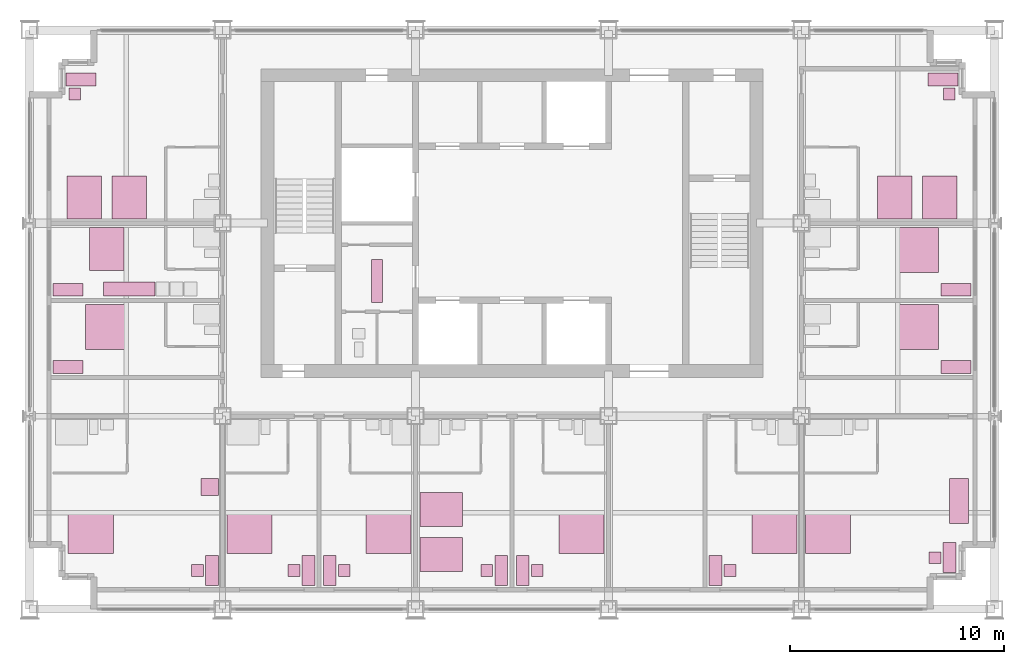
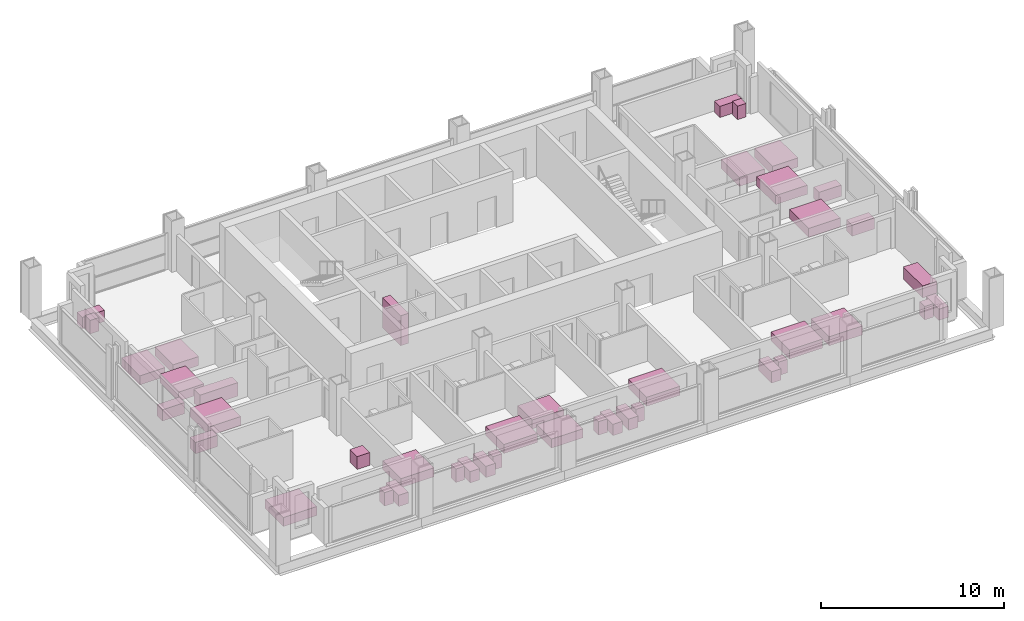
# One storey, part 14 of 14: 42 furniture elements.
"""IFC4 building model written with IfcOpenShell, lengths in metres."""

from ifc_helpers import new_model, si_unit, direction, frame, origin, origin_2d, place, context, subcontext, project, spatial, rectangle, extrude, element, save


model = new_model("IFC4")

# Units and contexts
model_context = context("Model", 3, precision=1e-05, world=origin(), true_north=direction((0.0, 1.0)))
body_context = subcontext(model_context, "Body", "Model", "MODEL_VIEW")
ifc_project = project(units=[si_unit("LENGTHUNIT", "METRE"), si_unit("AREAUNIT", "SQUARE_METRE"), si_unit("VOLUMEUNIT", "CUBIC_METRE"), si_unit("PLANEANGLEUNIT", "RADIAN"), si_unit("MASSUNIT", "GRAM", prefix="KILO")], contexts=[model_context])

# Site, building, storey
site_placement = place(None, origin())
site = spatial("IfcSite", under=ifc_project, at=site_placement, CompositionType="ELEMENT")
building_placement = place(site_placement, origin())
building = spatial("IfcBuilding", under=site, at=building_placement, Name="Loomwork Tower", CompositionType="ELEMENT")
storey_placement = place(building_placement, frame((0.0, 0.0, 167.199951171875)))
storey = spatial("IfcBuildingStorey", under=building, at=storey_placement, Name="L45", CompositionType="ELEMENT", Elevation=167.199951171875)

# Furniture
furniture_1_placement = place(storey_placement, frame((2.85009765625, 3.60009765625, 0.0), z_axis=(0.0, 0.0, 1.0), x_axis=(1.0, 0.0, 0.0)))
element("IfcFurniture", 1, at=furniture_1_placement, inside=storey, Name="King bed L45", PredefinedType="BED", context=body_context, shape_type="SweptSolid", body=[
    extrude(rectangle(XDim=2.10009765625, YDim=2.0, at=origin_2d()), origin(), (0.0, 0.0, 1.0), 0.60009765625),
])
furniture_2_placement = place(storey_placement, frame((8.5, 1.800048828125, 0.0), z_axis=(0.0, 0.0, 1.0), x_axis=(1.0, 0.0, 0.0)))
element("IfcFurniture", 2, at=furniture_2_placement, inside=storey, Name="Writing desk L45", PredefinedType="DESK", context=body_context, shape_type="SweptSolid", body=[
    extrude(rectangle(XDim=0.60009765625, YDim=1.39990234375, at=origin_2d()), origin(), (0.0, 0.0, 1.0), 0.75),
])
furniture_3_placement = place(storey_placement, frame((7.824951171875, 1.800048828125, 0.0), z_axis=(0.0, 0.0, 1.0), x_axis=(1.0, 0.0, 0.0)))
element("IfcFurniture", 3, at=furniture_3_placement, inside=storey, Name="Desk chair L45", PredefinedType="CHAIR", context=body_context, shape_type="SweptSolid", body=[
    extrude(rectangle(XDim=0.550048828125, YDim=0.550048828125, at=origin_2d()), origin(), (0.0, 0.0, 1.0), 0.89990234375),
])
furniture_4_placement = place(storey_placement, frame((8.39990234375, 5.699951171875, 0.0), z_axis=(0.0, 0.0, 1.0), x_axis=(1.0, 0.0, 0.0)))
element("IfcFurniture", 4, at=furniture_4_placement, inside=storey, Name="Lounge armchair L45", PredefinedType="CHAIR", context=body_context, shape_type="SweptSolid", body=[
    extrude(rectangle(XDim=0.800048828125, YDim=0.800048828125, at=origin_2d()), origin(), (0.0, 0.0, 1.0), 0.85009765625),
])
furniture_5_placement = place(storey_placement, frame((10.25, 3.60009765625, 0.0), z_axis=(0.0, 0.0, 1.0), x_axis=(1.0, 0.0, 0.0)))
element("IfcFurniture", 5, at=furniture_5_placement, inside=storey, Name="King bed L45", PredefinedType="BED", context=body_context, shape_type="SweptSolid", body=[
    extrude(rectangle(XDim=2.10009765625, YDim=2.0, at=origin_2d()), origin(), (0.0, 0.0, 1.0), 0.60009765625),
])
furniture_6_placement = place(storey_placement, frame((13.0, 1.800048828125, 0.0), z_axis=(0.0, 0.0, 1.0), x_axis=(1.0, 0.0, 0.0)))
element("IfcFurniture", 6, at=furniture_6_placement, inside=storey, Name="Writing desk L45", PredefinedType="DESK", context=body_context, shape_type="SweptSolid", body=[
    extrude(rectangle(XDim=0.60009765625, YDim=1.39990234375, at=origin_2d()), origin(), (0.0, 0.0, 1.0), 0.75),
])
furniture_7_placement = place(storey_placement, frame((12.324951171875, 1.800048828125, 0.0), z_axis=(0.0, 0.0, 1.0), x_axis=(1.0, 0.0, 0.0)))
element("IfcFurniture", 7, at=furniture_7_placement, inside=storey, Name="Desk chair L45", PredefinedType="CHAIR", context=body_context, shape_type="SweptSolid", body=[
    extrude(rectangle(XDim=0.550048828125, YDim=0.550048828125, at=origin_2d()), origin(), (0.0, 0.0, 1.0), 0.89990234375),
])
furniture_8_placement = place(storey_placement, frame((16.75, 3.60009765625, 0.0), z_axis=(0.0, 0.0, 1.0), x_axis=(1.0, 0.0, 0.0)))
element("IfcFurniture", 8, at=furniture_8_placement, inside=storey, Name="King bed L45", PredefinedType="BED", context=body_context, shape_type="SweptSolid", body=[
    extrude(rectangle(XDim=2.10009765625, YDim=2.0, at=origin_2d()), origin(), (0.0, 0.0, 1.0), 0.60009765625),
])
furniture_9_placement = place(storey_placement, frame((14.0, 1.800048828125, 0.0), z_axis=(0.0, 0.0, 1.0), x_axis=(1.0, 0.0, 0.0)))
element("IfcFurniture", 9, at=furniture_9_placement, inside=storey, Name="Writing desk L45", PredefinedType="DESK", context=body_context, shape_type="SweptSolid", body=[
    extrude(rectangle(XDim=0.60009765625, YDim=1.39990234375, at=origin_2d()), origin(), (0.0, 0.0, 1.0), 0.75),
])
furniture_10_placement = place(storey_placement, frame((14.675048828125, 1.800048828125, 0.0), z_axis=(0.0, 0.0, 1.0), x_axis=(1.0, 0.0, 0.0)))
element("IfcFurniture", 10, at=furniture_10_placement, inside=storey, Name="Desk chair L45", PredefinedType="CHAIR", context=body_context, shape_type="SweptSolid", body=[
    extrude(rectangle(XDim=0.550048828125, YDim=0.550048828125, at=origin_2d()), origin(), (0.0, 0.0, 1.0), 0.89990234375),
])
for number, where, z_axis, x_axis, name in (
    (11, (19.199951171875, 4.64990234375, 0.0), (0.0, 0.0, 1.0), (1.0, 0.0, 0.0), "Queen bed L45"),
    (12, (19.199951171875, 2.550048828125, 0.0), (0.0, 0.0, 1.0), (1.0, 0.0, 0.0), "Queen bed L45"),
):
    element("IfcFurniture", number, at=place(storey_placement, frame(where, z_axis=z_axis, x_axis=x_axis)), inside=storey, Name=name, PredefinedType="BED", context=body_context, shape_type="SweptSolid", body=[
        extrude(rectangle(XDim=2.0, YDim=1.60009765625, at=origin_2d()), origin(), (0.0, 0.0, 1.0), 0.60009765625),
    ])
furniture_11_placement = place(storey_placement, frame((22.0, 1.800048828125, 0.0), z_axis=(0.0, 0.0, 1.0), x_axis=(1.0, 0.0, 0.0)))
element("IfcFurniture", 13, at=furniture_11_placement, inside=storey, Name="Writing desk L45", PredefinedType="DESK", context=body_context, shape_type="SweptSolid", body=[
    extrude(rectangle(XDim=0.60009765625, YDim=1.39990234375, at=origin_2d()), origin(), (0.0, 0.0, 1.0), 0.75),
])
furniture_12_placement = place(storey_placement, frame((21.324951171875, 1.800048828125, 0.0), z_axis=(0.0, 0.0, 1.0), x_axis=(1.0, 0.0, 0.0)))
element("IfcFurniture", 14, at=furniture_12_placement, inside=storey, Name="Desk chair L45", PredefinedType="CHAIR", context=body_context, shape_type="SweptSolid", body=[
    extrude(rectangle(XDim=0.550048828125, YDim=0.550048828125, at=origin_2d()), origin(), (0.0, 0.0, 1.0), 0.89990234375),
])
furniture_13_placement = place(storey_placement, frame((25.75, 3.60009765625, 0.0), z_axis=(0.0, 0.0, 1.0), x_axis=(1.0, 0.0, 0.0)))
element("IfcFurniture", 15, at=furniture_13_placement, inside=storey, Name="King bed L45", PredefinedType="BED", context=body_context, shape_type="SweptSolid", body=[
    extrude(rectangle(XDim=2.10009765625, YDim=2.0, at=origin_2d()), origin(), (0.0, 0.0, 1.0), 0.60009765625),
])
furniture_14_placement = place(storey_placement, frame((23.0, 1.800048828125, 0.0), z_axis=(0.0, 0.0, 1.0), x_axis=(1.0, 0.0, 0.0)))
element("IfcFurniture", 16, at=furniture_14_placement, inside=storey, Name="Writing desk L45", PredefinedType="DESK", context=body_context, shape_type="SweptSolid", body=[
    extrude(rectangle(XDim=0.60009765625, YDim=1.39990234375, at=origin_2d()), origin(), (0.0, 0.0, 1.0), 0.75),
])
furniture_15_placement = place(storey_placement, frame((23.675048828125, 1.800048828125, 0.0), z_axis=(0.0, 0.0, 1.0), x_axis=(1.0, 0.0, 0.0)))
element("IfcFurniture", 17, at=furniture_15_placement, inside=storey, Name="Desk chair L45", PredefinedType="CHAIR", context=body_context, shape_type="SweptSolid", body=[
    extrude(rectangle(XDim=0.550048828125, YDim=0.550048828125, at=origin_2d()), origin(), (0.0, 0.0, 1.0), 0.89990234375),
])
furniture_16_placement = place(storey_placement, frame((34.75, 3.60009765625, 0.0), z_axis=(0.0, 0.0, 1.0), x_axis=(1.0, 0.0, 0.0)))
element("IfcFurniture", 18, at=furniture_16_placement, inside=storey, Name="King bed L45", PredefinedType="BED", context=body_context, shape_type="SweptSolid", body=[
    extrude(rectangle(XDim=2.10009765625, YDim=2.0, at=origin_2d()), origin(), (0.0, 0.0, 1.0), 0.60009765625),
])
furniture_17_placement = place(storey_placement, frame((32.0, 1.800048828125, 0.0), z_axis=(0.0, 0.0, 1.0), x_axis=(1.0, 0.0, 0.0)))
element("IfcFurniture", 19, at=furniture_17_placement, inside=storey, Name="Writing desk L45", PredefinedType="DESK", context=body_context, shape_type="SweptSolid", body=[
    extrude(rectangle(XDim=0.60009765625, YDim=1.39990234375, at=origin_2d()), origin(), (0.0, 0.0, 1.0), 0.75),
])
furniture_18_placement = place(storey_placement, frame((32.675048828125, 1.800048828125, 0.0), z_axis=(0.0, 0.0, 1.0), x_axis=(1.0, 0.0, 0.0)))
element("IfcFurniture", 20, at=furniture_18_placement, inside=storey, Name="Desk chair L45", PredefinedType="CHAIR", context=body_context, shape_type="SweptSolid", body=[
    extrude(rectangle(XDim=0.550048828125, YDim=0.550048828125, at=origin_2d()), origin(), (0.0, 0.0, 1.0), 0.89990234375),
])
furniture_19_placement = place(storey_placement, frame((37.25, 3.60009765625, 0.0), z_axis=(0.0, 0.0, 1.0), x_axis=(1.0, 0.0, 0.0)))
element("IfcFurniture", 21, at=furniture_19_placement, inside=storey, Name="King bed L45", PredefinedType="BED", context=body_context, shape_type="SweptSolid", body=[
    extrude(rectangle(XDim=2.10009765625, YDim=2.0, at=origin_2d()), origin(), (0.0, 0.0, 1.0), 0.60009765625),
])
furniture_20_placement = place(storey_placement, frame((42.89990234375, 2.39990234375, 0.0), z_axis=(0.0, 0.0, 1.0), x_axis=(1.0, 0.0, 0.0)))
element("IfcFurniture", 22, at=furniture_20_placement, inside=storey, Name="Writing desk L45", PredefinedType="DESK", context=body_context, shape_type="SweptSolid", body=[
    extrude(rectangle(XDim=0.60009765625, YDim=1.39990234375, at=origin_2d()), origin(), (0.0, 0.0, 1.0), 0.75),
])
furniture_21_placement = place(storey_placement, frame((42.22509765625, 2.39990234375, 0.0), z_axis=(0.0, 0.0, 1.0), x_axis=(1.0, 0.0, 0.0)))
element("IfcFurniture", 23, at=furniture_21_placement, inside=storey, Name="Desk chair L45", PredefinedType="CHAIR", context=body_context, shape_type="SweptSolid", body=[
    extrude(rectangle(XDim=0.550048828125, YDim=0.550048828125, at=origin_2d()), origin(), (0.0, 0.0, 1.0), 0.89990234375),
])
furniture_22_placement = place(storey_placement, frame((43.35009765625, 5.050048828125, 0.0), z_axis=(0.0, 0.0, 1.0), x_axis=(1.0, 0.0, 0.0)))
element("IfcFurniture", 24, at=furniture_22_placement, inside=storey, Name="Sofa L45", PredefinedType="SOFA", context=body_context, shape_type="SweptSolid", body=[
    extrude(rectangle(XDim=0.89990234375, YDim=2.10009765625, at=origin_2d()), origin(), (0.0, 0.0, 1.0), 0.800048828125),
])
furniture_23_placement = place(storey_placement, frame((3.60009765625, 13.14990234375, 0.0), z_axis=(0.0, 0.0, 1.0), x_axis=(1.0, 0.0, 0.0)))
element("IfcFurniture", 25, at=furniture_23_placement, inside=storey, Name="King bed L45", PredefinedType="BED", context=body_context, shape_type="SweptSolid", body=[
    extrude(rectangle(XDim=2.0, YDim=2.10009765625, at=origin_2d()), origin(), (0.0, 0.0, 1.0), 0.60009765625),
])
furniture_24_placement = place(storey_placement, frame((1.800048828125, 11.300048828125, 0.0), z_axis=(0.0, 0.0, 1.0), x_axis=(1.0, 0.0, 0.0)))
element("IfcFurniture", 26, at=furniture_24_placement, inside=storey, Name="Writing desk L45", PredefinedType="DESK", context=body_context, shape_type="SweptSolid", body=[
    extrude(rectangle(XDim=1.39990234375, YDim=0.60009765625, at=origin_2d()), origin(), (0.0, 0.0, 1.0), 0.75),
])
furniture_25_placement = place(storey_placement, frame((3.60009765625, 16.800048828125, 0.0), z_axis=(0.0, 0.0, 1.0), x_axis=(1.0, 0.0, 0.0)))
element("IfcFurniture", 27, at=furniture_25_placement, inside=storey, Name="Queen bed L45", PredefinedType="BED", context=body_context, shape_type="SweptSolid", body=[
    extrude(rectangle(XDim=1.60009765625, YDim=2.0, at=origin_2d()), origin(), (0.0, 0.0, 1.0), 0.60009765625),
])
furniture_26_placement = place(storey_placement, frame((1.800048828125, 14.89990234375, 0.0), z_axis=(0.0, 0.0, 1.0), x_axis=(1.0, 0.0, 0.0)))
element("IfcFurniture", 28, at=furniture_26_placement, inside=storey, Name="Writing desk L45", PredefinedType="DESK", context=body_context, shape_type="SweptSolid", body=[
    extrude(rectangle(XDim=1.39990234375, YDim=0.60009765625, at=origin_2d()), origin(), (0.0, 0.0, 1.0), 0.75),
])
furniture_27_placement = place(storey_placement, frame((4.64990234375, 14.925048828125, 0.0), z_axis=(0.0, 0.0, 1.0), x_axis=(1.0, 0.0, 0.0)))
element("IfcFurniture", 29, at=furniture_27_placement, inside=storey, Name="Kitchenette counter L45", ObjectType="KITCHENETTE", PredefinedType="USERDEFINED", context=body_context, shape_type="SweptSolid", body=[
    extrude(rectangle(XDim=2.39990234375, YDim=0.64990234375, at=origin_2d()), origin(), (0.0, 0.0, 1.0), 0.89990234375),
])
for number, where, z_axis, x_axis, name in (
    (30, (4.64990234375, 19.199951171875, 0.0), (0.0, 0.0, 1.0), (1.0, 0.0, 0.0), "Queen bed L45"),
    (31, (2.550048828125, 19.199951171875, 0.0), (0.0, 0.0, 1.0), (1.0, 0.0, 0.0), "Queen bed L45"),
):
    element("IfcFurniture", number, at=place(storey_placement, frame(where, z_axis=z_axis, x_axis=x_axis)), inside=storey, Name=name, PredefinedType="BED", context=body_context, shape_type="SweptSolid", body=[
        extrude(rectangle(XDim=1.60009765625, YDim=2.0, at=origin_2d()), origin(), (0.0, 0.0, 1.0), 0.60009765625),
    ])
furniture_28_placement = place(storey_placement, frame((2.39990234375, 24.699951171875, 0.0), z_axis=(0.0, 0.0, 1.0), x_axis=(1.0, 0.0, 0.0)))
element("IfcFurniture", 32, at=furniture_28_placement, inside=storey, Name="Writing desk L45", PredefinedType="DESK", context=body_context, shape_type="SweptSolid", body=[
    extrude(rectangle(XDim=1.39990234375, YDim=0.60009765625, at=origin_2d()), origin(), (0.0, 0.0, 1.0), 0.75),
])
furniture_29_placement = place(storey_placement, frame((2.10009765625, 24.02490234375, 0.0), z_axis=(0.0, 0.0, 1.0), x_axis=(1.0, 0.0, 0.0)))
element("IfcFurniture", 33, at=furniture_29_placement, inside=storey, Name="Desk chair L45", PredefinedType="CHAIR", context=body_context, shape_type="SweptSolid", body=[
    extrude(rectangle(XDim=0.550048828125, YDim=0.550048828125, at=origin_2d()), origin(), (0.0, 0.0, 1.0), 0.89990234375),
])
furniture_30_placement = place(storey_placement, frame((41.39990234375, 13.14990234375, 0.0), z_axis=(0.0, 0.0, 1.0), x_axis=(1.0, 0.0, 0.0)))
element("IfcFurniture", 34, at=furniture_30_placement, inside=storey, Name="King bed L45", PredefinedType="BED", context=body_context, shape_type="SweptSolid", body=[
    extrude(rectangle(XDim=2.0, YDim=2.10009765625, at=origin_2d()), origin(), (0.0, 0.0, 1.0), 0.60009765625),
])
furniture_31_placement = place(storey_placement, frame((43.199951171875, 11.300048828125, 0.0), z_axis=(0.0, 0.0, 1.0), x_axis=(1.0, 0.0, 0.0)))
element("IfcFurniture", 35, at=furniture_31_placement, inside=storey, Name="Writing desk L45", PredefinedType="DESK", context=body_context, shape_type="SweptSolid", body=[
    extrude(rectangle(XDim=1.39990234375, YDim=0.60009765625, at=origin_2d()), origin(), (0.0, 0.0, 1.0), 0.75),
])
furniture_32_placement = place(storey_placement, frame((41.39990234375, 16.75, 0.0), z_axis=(0.0, 0.0, 1.0), x_axis=(1.0, 0.0, 0.0)))
element("IfcFurniture", 36, at=furniture_32_placement, inside=storey, Name="King bed L45", PredefinedType="BED", context=body_context, shape_type="SweptSolid", body=[
    extrude(rectangle(XDim=2.0, YDim=2.10009765625, at=origin_2d()), origin(), (0.0, 0.0, 1.0), 0.60009765625),
])
furniture_33_placement = place(storey_placement, frame((43.199951171875, 14.89990234375, 0.0), z_axis=(0.0, 0.0, 1.0), x_axis=(1.0, 0.0, 0.0)))
element("IfcFurniture", 37, at=furniture_33_placement, inside=storey, Name="Writing desk L45", PredefinedType="DESK", context=body_context, shape_type="SweptSolid", body=[
    extrude(rectangle(XDim=1.39990234375, YDim=0.60009765625, at=origin_2d()), origin(), (0.0, 0.0, 1.0), 0.75),
])
for number, where, z_axis, x_axis, name in (
    (38, (40.35009765625, 19.199951171875, 0.0), (0.0, 0.0, 1.0), (1.0, 0.0, 0.0), "Queen bed L45"),
    (39, (42.449951171875, 19.199951171875, 0.0), (0.0, 0.0, 1.0), (1.0, 0.0, 0.0), "Queen bed L45"),
):
    element("IfcFurniture", number, at=place(storey_placement, frame(where, z_axis=z_axis, x_axis=x_axis)), inside=storey, Name=name, PredefinedType="BED", context=body_context, shape_type="SweptSolid", body=[
        extrude(rectangle(XDim=1.60009765625, YDim=2.0, at=origin_2d()), origin(), (0.0, 0.0, 1.0), 0.60009765625),
    ])
furniture_34_placement = place(storey_placement, frame((42.60009765625, 24.699951171875, 0.0), z_axis=(0.0, 0.0, 1.0), x_axis=(1.0, 0.0, 0.0)))
element("IfcFurniture", 40, at=furniture_34_placement, inside=storey, Name="Writing desk L45", PredefinedType="DESK", context=body_context, shape_type="SweptSolid", body=[
    extrude(rectangle(XDim=1.39990234375, YDim=0.60009765625, at=origin_2d()), origin(), (0.0, 0.0, 1.0), 0.75),
])
furniture_35_placement = place(storey_placement, frame((42.89990234375, 24.02490234375, 0.0), z_axis=(0.0, 0.0, 1.0), x_axis=(1.0, 0.0, 0.0)))
element("IfcFurniture", 41, at=furniture_35_placement, inside=storey, Name="Desk chair L45", PredefinedType="CHAIR", context=body_context, shape_type="SweptSolid", body=[
    extrude(rectangle(XDim=0.550048828125, YDim=0.550048828125, at=origin_2d()), origin(), (0.0, 0.0, 1.0), 0.89990234375),
])
furniture_36_placement = place(storey_placement, frame((16.199951171875, 15.300048828125, 0.0), z_axis=(0.0, 0.0, 1.0), x_axis=(1.0, 0.0, 0.0)))
element("IfcFurniture", 42, at=furniture_36_placement, inside=storey, Name="Linen shelving L45", PredefinedType="SHELF", context=body_context, shape_type="SweptSolid", body=[
    extrude(rectangle(XDim=0.5, YDim=2.0, at=origin_2d()), origin(), (0.0, 0.0, 1.0), 2.0),
])

save(model, "model.ifc")
